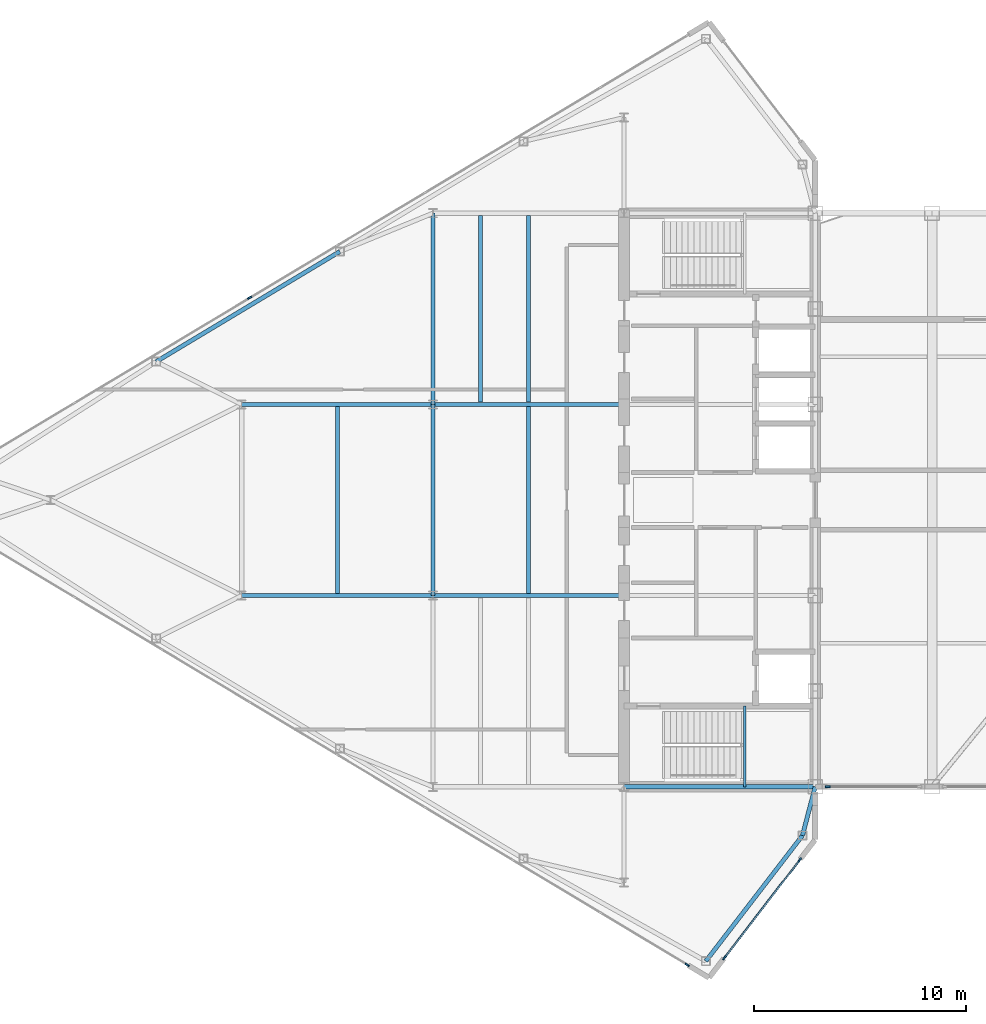
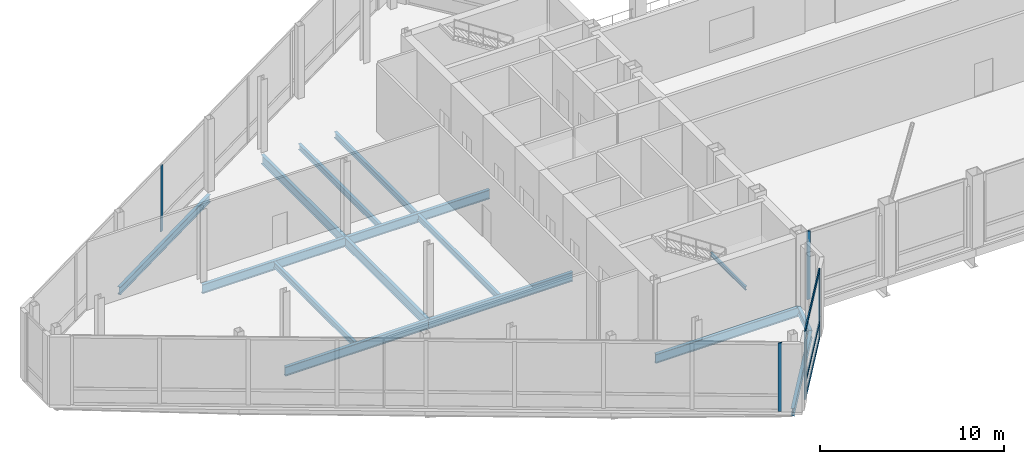
# One storey, part 9 of 28: 15 beams, 8 members, 4 elements without a shape of their own.
"""IFC4 building model written with IfcOpenShell, lengths in metres."""

from ifc_helpers import new_model, si_unit, direction, frame, origin, origin_2d, place, context, subcontext, project, spatial, rectangle, i_section, extrude, source, transform, mapped, material, layer, layer_set, material_profile, profile_set, type_object, type_shapes, element, aggregate, save


model = new_model("IFC4")

# Units and contexts
model_context = context("Model", 3, precision=1e-05, world=origin(), true_north=direction((0.0, 1.0)))
body_context = subcontext(model_context, "Body", "Model", "MODEL_VIEW")
ifc_project = project(units=[si_unit("LENGTHUNIT", "METRE"), si_unit("AREAUNIT", "SQUARE_METRE"), si_unit("VOLUMEUNIT", "CUBIC_METRE"), si_unit("PLANEANGLEUNIT", "RADIAN"), si_unit("MASSUNIT", "GRAM", prefix="KILO")], contexts=[model_context])

# Site, building, storey
site_placement = place(None, origin())
site = spatial("IfcSite", under=ifc_project, at=site_placement, CompositionType="ELEMENT")
building_placement = place(site_placement, origin())
building = spatial("IfcBuilding", under=site, at=building_placement, Name="Seokmaru Belvedere", CompositionType="ELEMENT")
storey_placement = place(building_placement, frame((0.0, 0.0, 274.199951171875)))
storey = spatial("IfcBuildingStorey", under=building, at=storey_placement, Name="L72", CompositionType="ELEMENT", Elevation=274.199951171875)

# Beams
ifc_material_1 = material(Name="Steel SM355 (355 MPa)", Category="steel")
ifc_material_profile_1 = material_profile(ifc_material_1, i_section(OverallWidth=0.199951171875, OverallDepth=0.60009765625, WebThickness=0.010986328125, FlangeThickness=0.01708984375, at=origin_2d()), Name="H-600x200x11x17")
ifc_profile_set_1 = profile_set([ifc_material_profile_1], Name="Steel SM355 (355 MPa)")
beam_type_1 = type_object("IfcBeamType", Name="Primary Floor Girder H-600", PredefinedType="BEAM", material=ifc_profile_set_1)
shared_shape_1 = source(origin(), body_context, "Body", "SweptSolid", [
    extrude(i_section(OverallWidth=0.199951171875, OverallDepth=0.60009765625, WebThickness=0.010986328125, FlangeThickness=0.01708984375, at=origin_2d()), origin(), (0.0, 0.0, 1.0), 9.0),
])
type_shapes(beam_type_1, [shared_shape_1])
for number, where, z_axis, x_axis, name in (
    (1, (-45.5, -4.5, -0.56005859375), (0.0, 1.0, 0.0), (-1.0, 0.0, 0.0), "L72 W Interior Grid Girder 2"),
    (2, (-45.5, 4.5, -0.56005859375), (0.0, 1.0, 0.0), (-1.0, 0.0, 0.0), "L72 W Interior Grid Girder 3"),
    (3, (-36.5, -13.5, -0.56005859375), (1.0, 0.0, 0.0), (0.0, 1.0, 0.0), "L72 W Core Tie Girder 1"),
    (4, (-45.5, -4.5, -0.56005859375), (1.0, 0.0, 0.0), (0.0, 1.0, 0.0), "L72 W Wing Primary Girder 2"),
    (5, (-45.5, 4.5, -0.56005859375), (1.0, 0.0, 0.0), (0.0, 1.0, 0.0), "L72 W Wing Primary Girder 3"),
    (6, (-54.5, -4.5, -0.56005859375), (1.0, 0.0, 0.0), (0.0, 1.0, 0.0), "L72 W Outer Wing Girder 1"),
    (7, (-54.5, 4.5, -0.56005859375), (1.0, 0.0, 0.0), (0.0, 1.0, 0.0), "L72 W Outer Wing Girder 2"),
):
    element("IfcBeam", number, at=place(storey_placement, frame(where, z_axis=z_axis, x_axis=x_axis)), inside=storey, type_object=beam_type_1, Name=name, PredefinedType="BEAM", context=body_context, shape_type="MappedRepresentation", body=[
        mapped(shared_shape_1, transform((0.0, 0.0, 0.0), scale=1.0)),
    ])
ifc_material_profile_2 = material_profile(ifc_material_1, i_section(OverallWidth=0.18505859375, OverallDepth=0.389892578125, WebThickness=0.008056640625, FlangeThickness=0.011962890625, at=origin_2d()), Name="H-390x185x8x12")
ifc_profile_set_2 = profile_set([ifc_material_profile_2], Name="Steel SM355 (355 MPa)")
beam_type_2 = type_object("IfcBeamType", Name="Secondary Floor Joist H-350", PredefinedType="JOIST", material=ifc_profile_set_2)
shared_shape_2 = source(origin(), body_context, "Body", "SweptSolid", [
    extrude(i_section(OverallWidth=0.18505859375, OverallDepth=0.389892578125, WebThickness=0.008056640625, FlangeThickness=0.011962890625, at=origin_2d()), origin(), (0.0, 0.0, 1.0), 8.7900390625),
])
type_shapes(beam_type_2, [shared_shape_2])
for number, where, z_axis, x_axis, name in (
    (8, (-43.25, 4.60498046875, -0.454833984375), (0.0, 1.0, 0.0), (-1.0, 0.0, 0.0), "L72 W Wing Inner Secondary Joist 2"),
    (9, (-41.0, -4.39501953125, -0.454833984375), (0.0, 1.0, 0.0), (-1.0, 0.0, 0.0), "L72 W Secondary Floor Joist 2"),
    (10, (-41.0, 4.60498046875, -0.454833984375), (0.0, 1.0, 0.0), (-1.0, 0.0, 0.0), "L72 W Secondary Floor Joist 3"),
    (11, (-50.0, -4.39501953125, -0.454833984375), (0.0, 1.0, 0.0), (-1.0, 0.0, 0.0), "L72 W Outer Bay Secondary Joist"),
):
    element("IfcBeam", number, at=place(storey_placement, frame(where, z_axis=z_axis, x_axis=x_axis)), inside=storey, type_object=beam_type_2, Name=name, PredefinedType="JOIST", context=body_context, shape_type="MappedRepresentation", body=[
        mapped(shared_shape_2, transform((0.0, 0.0, 0.0), scale=1.0)),
    ])
ifc_material_profile_3 = material_profile(ifc_material_1, i_section(OverallWidth=0.199951171875, OverallDepth=0.5, WebThickness=0.010009765625, FlangeThickness=0.01611328125, at=origin_2d()), Name="H-500x200x10x16")
ifc_profile_set_3 = profile_set([ifc_material_profile_3], Name="Steel SM355 (355 MPa)")
beam_type_3 = type_object("IfcBeamType", Name="Perimeter Spandrel Beam H-500", PredefinedType="SPANDREL", material=ifc_profile_set_3)
shared_shape_3 = source(origin(), body_context, "Body", "SweptSolid", [
    extrude(i_section(OverallWidth=0.199951171875, OverallDepth=0.5, WebThickness=0.010009765625, FlangeThickness=0.01611328125, at=origin_2d()), origin(), (0.0, 0.0, 1.0), 10.087646484375),
])
beam_1_placement = place(storey_placement, frame((-49.8798828125, 11.698974609375, -0.510009765625), z_axis=(-0.857488654804, -0.514502873542, 0.0), x_axis=(0.514502873542, -0.857488654804, 0.0)))
element("IfcBeam", 12, at=beam_1_placement, inside=storey, type_object=beam_type_3, Name="L72 W Faceted Flank Spandrel N-3", PredefinedType="SPANDREL", context=body_context, shape_type="MappedRepresentation", body=[
    mapped(shared_shape_3, transform((0.0, 0.0, 0.0), scale=1.0)),
])
shared_shape_4 = source(origin(), body_context, "Body", "SweptSolid", [
    extrude(i_section(OverallWidth=0.199951171875, OverallDepth=0.5, WebThickness=0.010009765625, FlangeThickness=0.01611328125, at=origin_2d()), origin(), (0.0, 0.0, 1.0), 7.4619140625),
])
beam_2_placement = place(storey_placement, frame((-32.649658203125, -21.71044921875, -0.510009765625), z_axis=(0.609702854945, 0.792630070507, 0.0), x_axis=(-0.792630070507, 0.609702854945, 0.0)))
element("IfcBeam", 13, at=beam_2_placement, inside=storey, type_object=beam_type_3, Name="L72 W Shoulder Chamfer Spandrel S", PredefinedType="SPANDREL", context=body_context, shape_type="MappedRepresentation", body=[
    mapped(shared_shape_4, transform((0.0, 0.0, 0.0), scale=1.0)),
])
shared_shape_5 = source(origin(), body_context, "Body", "SweptSolid", [
    extrude(i_section(OverallWidth=0.199951171875, OverallDepth=0.5, WebThickness=0.010009765625, FlangeThickness=0.01611328125, at=origin_2d()), origin(), (0.0, 0.0, 1.0), 2.373046875),
])
type_shapes(beam_type_3, [shared_shape_3, shared_shape_4, shared_shape_5])
beam_3_placement = place(storey_placement, frame((-28.10009765625, -15.7958984375, -0.510009765625), z_axis=(0.252882558842, 0.967496982648, 0.0), x_axis=(-0.967496982648, 0.252882558842, 0.0)))
element("IfcBeam", 14, at=beam_3_placement, inside=storey, type_object=beam_type_3, Name="L72 W Shoulder Spine Spandrel S", PredefinedType="SPANDREL", context=body_context, shape_type="MappedRepresentation", body=[
    mapped(shared_shape_5, transform((0.0, 0.0, 0.0), scale=1.0)),
])

# Curtain wall, members
ifc_material_2 = material(Name="Bronze Triple Insulating Glass", Category="glass")
ifc_layer = layer(ifc_material_2, 0.219970703125)
ifc_layer_set = layer_set([ifc_layer], Name="Bronze Triple Insulating Glass")
curtain_wall_type = type_object("IfcCurtainWallType", Name="Sky-Gate Bridge Panorama Curtain Wall System CW-6", PredefinedType="NOTDEFINED", material=ifc_layer_set)
curtain_wall_1_placement = place(storey_placement, origin())
curtain_wall_1 = element("IfcCurtainWall", 15, at=curtain_wall_1_placement, inside=storey, type_object=curtain_wall_type, Name="L72 Curtain Wall WF6", PredefinedType="NOTDEFINED")
ifc_material_3 = material(Name="Anodised Bronze Aluminium", Category="aluminium")
ifc_material_profile_4 = material_profile(ifc_material_3, rectangle(XDim=0.074951171875, YDim=0.179931640625, at=origin_2d()), Name="CW-T-75x180")
ifc_profile_set_4 = profile_set([ifc_material_profile_4], Name="Anodised Bronze Aluminium")
member_type_1 = type_object("IfcMemberType", Name="Bronze Unitised Transom 75x180", PredefinedType="USERDEFINED", material=ifc_profile_set_4)
shared_shape_6 = source(origin(), body_context, "Body", "SweptSolid", [
    extrude(rectangle(XDim=0.074951171875, YDim=0.179931640625, at=origin_2d()), origin(), (0.0, 0.0, 1.0), 5.74072265625),
])
type_shapes(member_type_1, [shared_shape_6])
member_1_placement = place(storey_placement, frame((-31.75, -21.525146484375, 0.03759765625), z_axis=(0.609686097287, 0.792642960465, 0.0), x_axis=(-0.792642960465, 0.609686097287, 0.0)))
member_1 = element("IfcMember", 16, at=member_1_placement, type_object=member_type_1, Name="CW:L72:WF6 Continuous Transom 1", ObjectType="TRANSOM", PredefinedType="USERDEFINED", context=body_context, shape_type="MappedRepresentation", body=[
    mapped(shared_shape_6, transform((0.0, 0.0, 0.0), scale=1.0)),
])
member_2_placement = place(storey_placement, frame((-31.75, -21.525146484375, 4.482666015625), z_axis=(0.609686097287, 0.792642960465, 0.0), x_axis=(-0.792642960465, 0.609686097287, 0.0)))
member_2 = element("IfcMember", 17, at=member_2_placement, type_object=member_type_1, Name="CW:L72:WF6 Continuous Transom 2", ObjectType="TRANSOM", PredefinedType="USERDEFINED", context=body_context, shape_type="MappedRepresentation", body=[
    mapped(shared_shape_6, transform((0.0, 0.0, 0.0), scale=1.0)),
])
member_3_placement = place(storey_placement, frame((-31.75, -21.525146484375, 1.050048828125), z_axis=(0.609686097287, 0.792642960465, 0.0), x_axis=(-0.792642960465, 0.609686097287, 0.0)))
member_3 = element("IfcMember", 18, at=member_3_placement, type_object=member_type_1, Name="CW:L72:WF6 Spandrel Transom 1", ObjectType="TRANSOM", PredefinedType="USERDEFINED", context=body_context, shape_type="MappedRepresentation", body=[
    mapped(shared_shape_6, transform((0.0, 0.0, 0.0), scale=1.0)),
])

# Curtain wall, member
curtain_wall_2_placement = place(storey_placement, origin())
curtain_wall_2 = element("IfcCurtainWall", 19, at=curtain_wall_2_placement, inside=storey, type_object=curtain_wall_type, Name="L72 Curtain Wall WF5", PredefinedType="NOTDEFINED")
ifc_material_profile_5 = material_profile(ifc_material_3, rectangle(XDim=0.080078125, YDim=0.219970703125, at=origin_2d()), Name="CW-M-80x220")
ifc_profile_set_5 = profile_set([ifc_material_profile_5], Name="Anodised Bronze Aluminium")
member_type_2 = type_object("IfcMemberType", Name="Bronze Unitised Mullion 80x220", PredefinedType="MULLION", material=ifc_profile_set_5)
shared_shape_7 = source(origin(), body_context, "Body", "SweptSolid", [
    extrude(rectangle(XDim=0.080078125, YDim=0.219970703125, at=origin_2d()), origin(), (0.0, 0.0, 1.0), 4.52001953125),
])
member_4_placement = place(storey_placement, frame((-33.5205078125, -21.8876953125, 0.0), z_axis=(0.0, 0.0, 1.0), x_axis=(0.514494909364, 0.85749343335, 0.0)))
member_4 = element("IfcMember", 20, at=member_4_placement, type_object=member_type_2, Name="CW:L72:WF5 Mullion 9", PredefinedType="MULLION", context=body_context, shape_type="MappedRepresentation", body=[
    mapped(shared_shape_7, transform((0.0, 0.0, 0.0), scale=1.0)),
])
aggregate(curtain_wall_2, [member_4])

# Member
member_5_placement = place(storey_placement, frame((-31.7744140625, -21.556884765625, 0.0), z_axis=(0.0, 0.0, 1.0), x_axis=(-0.792631353244, 0.609701187349, 0.0)))
member_5 = element("IfcMember", 21, at=member_5_placement, type_object=member_type_2, Name="CW:L72:WF6 Mullion 1", PredefinedType="MULLION", context=body_context, shape_type="MappedRepresentation", body=[
    mapped(shared_shape_7, transform((0.0, 0.0, 0.0), scale=1.0)),
])

member_6_placement = place(storey_placement, frame((-28.2255859375, -16.943115234375, 0.0), z_axis=(0.0, 0.0, 1.0), x_axis=(-0.792631353244, 0.609701187349, 0.0)))
member_6 = element("IfcMember", 22, at=member_6_placement, type_object=member_type_2, Name="CW:L72:WF6 Mullion 2", PredefinedType="MULLION", context=body_context, shape_type="MappedRepresentation", body=[
    mapped(shared_shape_7, transform((0.0, 0.0, 0.0), scale=1.0)),
])

aggregate(curtain_wall_1, [member_5, member_6, member_1, member_2, member_3])

# Curtain wall, member
curtain_wall_3_placement = place(storey_placement, origin())
curtain_wall_3 = element("IfcCurtainWall", 23, at=curtain_wall_3_placement, inside=storey, type_object=curtain_wall_type, Name="L72 Curtain Wall BR_S01", PredefinedType="NOTDEFINED")
member_7_placement = place(storey_placement, frame((-26.909912109375, -13.5, 0.0), z_axis=(0.0, 0.0, 1.0), x_axis=(0.0, 1.0, 0.0)))
member_7 = element("IfcMember", 24, at=member_7_placement, type_object=member_type_2, Name="CW:L72:BR_S01 Mullion 1", PredefinedType="MULLION", context=body_context, shape_type="MappedRepresentation", body=[
    mapped(shared_shape_7, transform((0.0, 0.0, 0.0), scale=1.0)),
])
aggregate(curtain_wall_3, [member_7])

curtain_wall_4_placement = place(storey_placement, origin())
curtain_wall_4 = element("IfcCurtainWall", 25, at=curtain_wall_4_placement, inside=storey, type_object=curtain_wall_type, Name="L72 Curtain Wall WF3", PredefinedType="NOTDEFINED")
shared_shape_8 = source(origin(), body_context, "Body", "SweptSolid", [
    extrude(rectangle(XDim=0.080078125, YDim=0.219970703125, at=origin_2d()), origin(), (0.0, 0.0, 1.0), 4.3701171875),
])
type_shapes(member_type_2, [shared_shape_7, shared_shape_8])
member_8_placement = place(storey_placement, frame((-54.12841796875, 9.52294921875, 0.074951171875), z_axis=(0.0, 0.0, 1.0), x_axis=(0.514494909364, -0.85749343335, 0.0)))
member_8 = element("IfcMember", 26, at=member_8_placement, type_object=member_type_2, Name="CW:L72:WF3 Mullion 6", PredefinedType="MULLION", context=body_context, shape_type="MappedRepresentation", body=[
    mapped(shared_shape_8, transform((0.0, 0.0, 0.0), scale=1.0)),
])
aggregate(curtain_wall_4, [member_8])

# Beam
ifc_material_profile_6 = material_profile(ifc_material_1, i_section(OverallWidth=0.125, OverallDepth=0.25, WebThickness=0.006103515625, FlangeThickness=0.009033203125, at=origin_2d()), Name="H-250x125x6x9")
ifc_profile_set_6 = profile_set([ifc_material_profile_6], Name="Steel SM355 (355 MPa)")
beam_type_4 = type_object("IfcBeamType", Name="Stair Mid-Landing Support Beam H-250", PredefinedType="JOIST", material=ifc_profile_set_6)
shared_shape_9 = source(origin(), body_context, "Body", "SweptSolid", [
    extrude(i_section(OverallWidth=0.125, OverallDepth=0.25, WebThickness=0.006103515625, FlangeThickness=0.009033203125, at=origin_2d()), origin(), (0.0, 0.0, 1.0), 3.800048828125),
])
type_shapes(beam_type_4, [shared_shape_9])
beam_4_placement = place(storey_placement, frame((-30.81005859375, -13.5, 2.074951171875), z_axis=(0.0, 1.0, 0.0), x_axis=(-1.0, 0.0, 0.0)))
element("IfcBeam", 27, at=beam_4_placement, inside=storey, type_object=beam_type_4, Name="L72 Stair ST-W1 Mid-Landing Support Beam 1", PredefinedType="JOIST", context=body_context, shape_type="MappedRepresentation", body=[
    mapped(shared_shape_9, transform((0.0, 0.0, 0.0), scale=1.0)),
])

save(model, "model.ifc")
